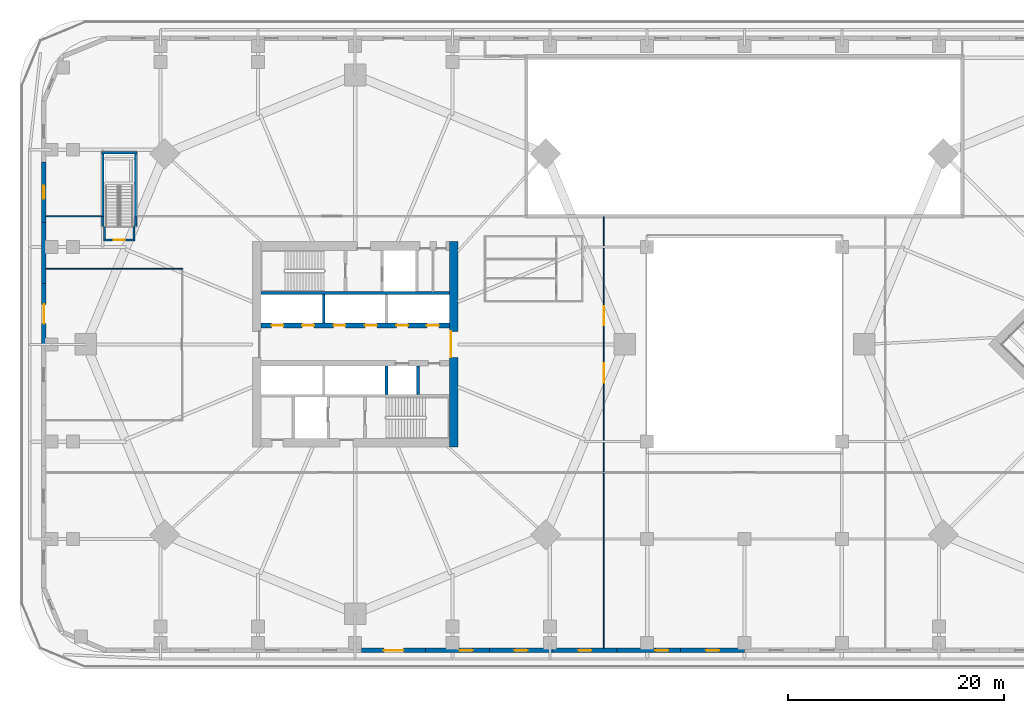
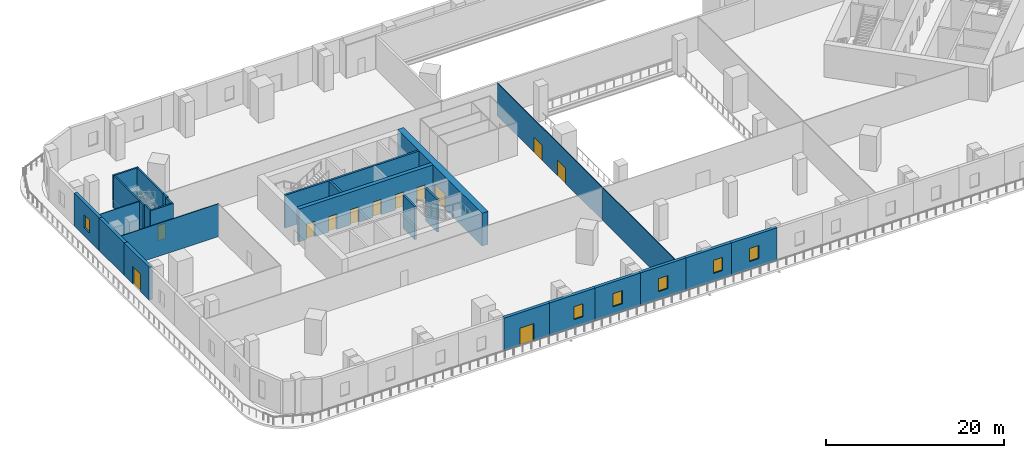
# One storey, part 5 of 17: 27 walls, 12 doors, 6 windows, 18 openings.
"""IFC4 building model written with IfcOpenShell, lengths in metres."""

import ifcopenshell
import ifcopenshell.guid

model = None  # the IFC model being written
_history = None  # IfcOwnerHistory: only IFC2X3 demands one
_inside = {}  # id of a spatial element -> (the spatial element, [elements in it])
_under = {}  # id of a project, library or spatial element -> (it, [spatial elements below it])
_declared = {}  # id of a project -> (the project, [libraries it declares])
_typed = {}  # id of a type object -> (the type object, [elements of that type])
_made_of = {}  # id of a material, layer set ... -> (it, [elements and type objects made of it])


def new_model(schema):
    """Start an empty IFC model of exactly this schema.

    Asked for "IFC4X3", IfcOpenShell would pick the latest addendum, in which some entities
    have other attributes; the version numbers below select the first issue.
    IFC2X3 requires an IfcOwnerHistory on every rooted entity: one is made here for all.
    """
    global model, _history
    if schema == "IFC4X3":
        model = ifcopenshell.file(schema_version=(4, 3, 0, 0))
    else:
        model = ifcopenshell.file(schema=schema)
    _inside.clear()
    _under.clear()
    _declared.clear()
    _typed.clear()
    _made_of.clear()
    _history = None
    if model.schema == "IFC2X3":
        org = make("IfcOrganization", Name="unknown")
        user = make(
            "IfcPersonAndOrganization",
            ThePerson=make("IfcPerson", FamilyName="unknown"),
            TheOrganization=org,
        )
        app = make(
            "IfcApplication",
            ApplicationDeveloper=org,
            Version="unknown",
            ApplicationFullName="unknown",
            ApplicationIdentifier="unknown",
        )
        _history = make(
            "IfcOwnerHistory",
            OwningUser=user,
            OwningApplication=app,
            ChangeAction="ADDED",
            CreationDate=0,
        )
    return model


def make(cls, **values):
    """One entity of the class cls with the attributes given. An attribute that is None is left unset."""
    return model.create_entity(
        cls, **{name: value for name, value in values.items() if value is not None}
    )


def rooted(cls, **values):
    """An entity with a GlobalId (a new one), such as an element, a storey or a relation."""
    return make(cls, GlobalId=ifcopenshell.guid.new(), OwnerHistory=_history, **values)


def si_unit(unit_type, name, prefix=None):
    """IfcSIUnit, for example si_unit("LENGTHUNIT", "METRE", prefix="MILLI")."""
    return make("IfcSIUnit", UnitType=unit_type, Prefix=prefix, Name=name)


def assignment(units):
    """IfcUnitAssignment: the units of a project."""
    return None if units is None else make("IfcUnitAssignment", Units=units)


def point(xyz):
    """IfcCartesianPoint."""
    return None if xyz is None else make("IfcCartesianPoint", Coordinates=xyz)


def direction(xyz):
    """IfcDirection."""
    return None if xyz is None else make("IfcDirection", DirectionRatios=xyz)


def frame(location, z_axis=None, x_axis=None):
    """IfcAxis2Placement3D, a coordinate frame: its origin and axes. An axis left out is left unset."""
    return make(
        "IfcAxis2Placement3D",
        Location=point(location),
        Axis=direction(z_axis),
        RefDirection=direction(x_axis),
    )


def frame_2d(location, x_axis=None):
    """IfcAxis2Placement2D, a coordinate frame in the plane: its origin and x axis."""
    return make(
        "IfcAxis2Placement2D", Location=point(location), RefDirection=direction(x_axis)
    )


def origin():
    """The frame at (0, 0, 0) with its axes left unset."""
    return frame((0.0, 0.0, 0.0))


def place(relative_to, where):
    """IfcLocalPlacement: puts the frame where relative to a parent placement (None: the world)."""
    return make(
        "IfcLocalPlacement", PlacementRelTo=relative_to, RelativePlacement=where
    )


def context(
    kind, dimensions, precision=None, world=None, true_north=None, identifier=None
):
    """IfcGeometricRepresentationContext, for example the 3D "Model" context."""
    return make(
        "IfcGeometricRepresentationContext",
        ContextIdentifier=identifier,
        ContextType=kind,
        CoordinateSpaceDimension=dimensions,
        Precision=precision,
        WorldCoordinateSystem=world,
        TrueNorth=true_north,
    )


def subcontext(parent, identifier, kind, view, scale=None):
    """IfcGeometricRepresentationSubContext, for example "Body" below "Model"."""
    return make(
        "IfcGeometricRepresentationSubContext",
        ContextIdentifier=identifier,
        ContextType=kind,
        ParentContext=parent,
        TargetScale=scale,
        TargetView=view,
    )


def project(units=None, contexts=None):
    """IfcProject with its units and contexts."""
    return rooted(
        "IfcProject",
        Name="project",
        RepresentationContexts=contexts,
        UnitsInContext=assignment(units),
    )


def spatial(cls, under=None, at=None, **own):
    """A site, building, storey or space (cls), placed at a placement, below another one or the project."""
    s = rooted(cls, ObjectPlacement=at, **own)
    if under is not None:
        _under.setdefault(under.id(), (under, []))[1].append(s)
    return s


def profile(cls, at=None, kind="AREA", **sizes):
    """A parametric profile (cls). Its sizes go by their IFC names, for example OverallWidth=200.0."""
    return make(cls, ProfileType=kind, Position=at, **sizes)


def rectangle(**sizes):
    """IfcRectangleProfileDef."""
    return profile("IfcRectangleProfileDef", **sizes)


def extrude(swept, where, along, depth):
    """IfcExtrudedAreaSolid: the profile swept, set in the frame where, extruded along a direction by depth."""
    return make(
        "IfcExtrudedAreaSolid",
        SweptArea=swept,
        Position=where,
        ExtrudedDirection=direction(along),
        Depth=depth,
    )


def shape(context_of_items, identifier, shape_type, items):
    """IfcShapeRepresentation: the items that make up one representation, for example the "Body"."""
    return make(
        "IfcShapeRepresentation",
        ContextOfItems=context_of_items,
        RepresentationIdentifier=identifier,
        RepresentationType=shape_type,
        Items=items,
    )


def material(Name=None, Category=None):
    """IfcMaterial."""
    return make("IfcMaterial", Name=Name, Category=Category)


def layer(
    of_material, thickness, ventilated=None, Name=None, Category=None, Priority=None
):
    """IfcMaterialLayer: one layer of a wall or slab, of a material (None: an air gap)."""
    return make(
        "IfcMaterialLayer",
        Material=of_material,
        LayerThickness=thickness,
        IsVentilated=ventilated,
        Name=Name,
        Category=Category,
        Priority=Priority,
    )


def layer_set(layers, Name=None):
    """IfcMaterialLayerSet."""
    return make("IfcMaterialLayerSet", MaterialLayers=layers, LayerSetName=Name)


def made_of(thing, what):
    """Note that an element or type object is made of a material, layer set ...; save() writes the relation."""
    if what is not None:
        _made_of.setdefault(what.id(), (what, []))[1].append(thing)
    return thing


def type_object(cls, material=None, **own):
    """A type object (cls), such as IfcWallType, which elements share."""
    return made_of(rooted(cls, **own), material)


def element(
    cls,
    number,
    at=None,
    inside=None,
    cuts=None,
    type_object=None,
    material=None,
    context=None,
    identifier="Body",
    shape_type=None,
    held_by="IfcProductDefinitionShape",
    body=None,
    shapes=None,
    **own,
):
    """One element of the class cls, such as IfcWall. Its Tag is "e" and its number.

    at: its placement. inside: the storey or other place that contains it. cuts: it is an
    opening in that element (IfcRelVoidsElement). A single representation is given by context,
    identifier, shape_type and body (its items); several are given by shapes. held_by: the class
    of the entity that holds the representations. save() writes the other relations.
    """
    e = rooted(cls, Tag="e%d" % number, ObjectPlacement=at, **own)
    if body is not None:
        shapes = [shape(context, identifier, shape_type, body)]
    if shapes is not None:
        e.Representation = make(held_by, Representations=shapes)
    if inside is not None:
        _inside.setdefault(inside.id(), (inside, []))[1].append(e)
    if cuts is not None:
        rooted(
            "IfcRelVoidsElement", RelatingBuildingElement=cuts, RelatedOpeningElement=e
        )
    if type_object is not None:
        _typed.setdefault(type_object.id(), (type_object, []))[1].append(e)
    return made_of(e, material)


def fill(opening, filler):
    """IfcRelFillsElement: the door or window that sits in an opening."""
    return rooted(
        "IfcRelFillsElement",
        RelatingOpeningElement=opening,
        RelatedBuildingElement=filler,
    )


def aggregate(whole, parts):
    """IfcRelAggregates: a whole, such as a stair, and the parts it consists of."""
    return rooted("IfcRelAggregates", RelatingObject=whole, RelatedObjects=parts)


def save(model, path):
    """Write the relations noted so far, then the file.

    IfcRelAggregates (storeys below a building ...), IfcRelContainedInSpatialStructure (elements
    in a storey), IfcRelDefinesByType, IfcRelAssociatesMaterial and IfcRelDeclares: one each for
    every whole, place, type object, material and project.
    """
    for whole, parts in _under.values():
        aggregate(whole, parts)
    for where, things in _inside.values():
        rooted(
            "IfcRelContainedInSpatialStructure",
            RelatedElements=things,
            RelatingStructure=where,
        )
    for kind, things in _typed.values():
        rooted("IfcRelDefinesByType", RelatedObjects=things, RelatingType=kind)
    for what, things in _made_of.values():
        rooted("IfcRelAssociatesMaterial", RelatedObjects=things, RelatingMaterial=what)
    for by, libraries in _declared.values():
        rooted("IfcRelDeclares", RelatingContext=by, RelatedDefinitions=libraries)
    model.write(path)


model = new_model("IFC4")

# Units and contexts
model_context = context("Model", 3, precision=1e-05, world=origin(), true_north=direction((0.0, 1.0)))
body_context = subcontext(model_context, "Body", "Model", "MODEL_VIEW")
ifc_project = project(units=[si_unit("LENGTHUNIT", "METRE"), si_unit("AREAUNIT", "SQUARE_METRE"), si_unit("VOLUMEUNIT", "CUBIC_METRE"), si_unit("PLANEANGLEUNIT", "RADIAN"), si_unit("MASSUNIT", "GRAM", prefix="KILO")], contexts=[model_context])

# Site, building, storey
site_placement = place(None, origin())
site = spatial("IfcSite", under=ifc_project, at=site_placement, CompositionType="ELEMENT")
building_placement = place(site_placement, origin())
building = spatial("IfcBuilding", under=site, at=building_placement, Name="Ogive Gate Towers", CompositionType="ELEMENT")
storey_placement = place(building_placement, frame((0.0, 0.0, 18.0)))
storey = spatial("IfcBuildingStorey", under=building, at=storey_placement, Name="L03", CompositionType="ELEMENT", Elevation=18.0)

# Wall, opening, door
ifc_material_1 = material(Name="Concrete C60/75", Category="concrete")
ifc_layer_1 = layer(ifc_material_1, 0.800048828125)
ifc_layer_set_1 = layer_set([ifc_layer_1], Name="Core wall 800 mm")
wall_type_1 = type_object("IfcWallType", Name="Core wall 800 mm", PredefinedType="SHEAR", material=ifc_layer_set_1)
wall_1_placement = place(storey_placement, frame((-26.89990234375, -9.5, 0.0), z_axis=(0.0, 0.0, 1.0), x_axis=(0.0, 1.0, 0.0)))
wall_1 = element("IfcWall", 1, at=wall_1_placement, inside=storey, type_object=wall_type_1, Name="T1 L03 Core wall 800 mm", PredefinedType="SHEAR", context=body_context, shape_type="SweptSolid", body=[
    extrude(rectangle(XDim=19.0, YDim=0.800048828125, at=frame_2d((9.5, 0.0))), origin(), (0.0, 0.0, 1.0), 4.5),
])
opening_1_placement = place(wall_1_placement, frame((8.300048828125, 0.0, 0.0)))
opening_1 = element("IfcOpeningElement", 2, at=opening_1_placement, cuts=wall_1, Name="Opening KD-T1-L03-02", PredefinedType="OPENING", context=body_context, shape_type="SweptSolid", body=[
    extrude(rectangle(XDim=2.39990234375, YDim=2.10009765625, at=frame_2d((1.199951171875, 1.050048828125))), frame((0.0, 0.41015625, 0.0), z_axis=(0.0, -1.0, 0.0), x_axis=(1.0, 0.0, 0.0)), (0.0, 0.0, 1.0), 0.820068359375),
])
ifc_material_2 = material(Name="Steel fire door", Category="steel")
door_type_1 = type_object("IfcDoorType", Name="Core double door FD60S 2400 x 2100", OperationType="DOUBLE_DOOR_SINGLE_SWING", PredefinedType="DOOR", material=ifc_material_2)
door_1_placement = place(opening_1_placement, origin())
door_1 = element("IfcDoor", 3, at=door_1_placement, inside=storey, type_object=door_type_1, Name="T1 L03 Core door double", OperationType="DOUBLE_DOOR_SINGLE_SWING", OverallHeight=2.10009765625, OverallWidth=2.39990234375, PredefinedType="DOOR", context=body_context, shape_type="SweptSolid", body=[
    extrude(rectangle(XDim=2.39990234375, YDim=2.10009765625, at=frame_2d((1.199951171875, 1.050048828125))), frame((0.0, 0.27490234375, 0.0), z_axis=(0.0, -1.0, 0.0), x_axis=(1.0, 0.0, 0.0)), (0.0, 0.0, 1.0), 0.050048828125),
])
fill(opening_1, door_1)

# Wall
ifc_material_3 = material(Name="Gypsum board partition")
ifc_layer_2 = layer(ifc_material_3, 0.10009765625)
ifc_layer_set_2 = layer_set([ifc_layer_2], Name="Partition wall 100")
wall_type_2 = type_object("IfcWallType", Name="Partition wall 100", PredefinedType="PARTITIONING", material=ifc_layer_set_2)
wall_2_placement = place(storey_placement, frame((-64.60009765625, 11.85009765625, 0.0), z_axis=(0.0, 0.0, 1.0), x_axis=(1.0, 0.0, 0.0)))
element("IfcWall", 4, at=wall_2_placement, inside=storey, type_object=wall_type_2, Name="L03 partition 020", PredefinedType="PARTITIONING", context=body_context, shape_type="SweptSolid", body=[
    extrude(rectangle(XDim=5.150146484375, YDim=0.10009765625, at=frame_2d((2.5751953125, 0.0))), origin(), (0.0, 0.0, 1.0), 4.5),
])

# Wall, openings, doors
wall_3_placement = place(storey_placement, frame((-13.0, -11.800048828125, 0.0), z_axis=(0.0, 0.0, 1.0), x_axis=(0.0, 1.0, 0.0)))
wall_3 = element("IfcWall", 5, at=wall_3_placement, inside=storey, type_object=wall_type_2, Name="L03 partition 024", PredefinedType="PARTITIONING", context=body_context, shape_type="SweptSolid", body=[
    extrude(rectangle(XDim=23.60009765625, YDim=0.10009765625, at=frame_2d((11.800048828125, 0.0))), origin(), (0.0, 0.0, 1.0), 4.5),
])
opening_2_placement = place(wall_3_placement, frame((13.550048828125, 0.0, 0.0)))
opening_2 = element("IfcOpeningElement", 6, at=opening_2_placement, cuts=wall_3, Name="Opening PO183", PredefinedType="OPENING", context=body_context, shape_type="SweptSolid", body=[
    extrude(rectangle(XDim=1.800048828125, YDim=2.10009765625, at=frame_2d((0.89990234375, 1.050048828125))), frame((0.0, 0.06005859375, 0.0), z_axis=(0.0, -1.0, 0.0), x_axis=(1.0, 0.0, 0.0)), (0.0, 0.0, 1.0), 0.1201171875),
])
opening_3_placement = place(wall_3_placement, frame((8.25, 0.0, 0.0)))
opening_3 = element("IfcOpeningElement", 7, at=opening_3_placement, cuts=wall_3, Name="Opening PO193", PredefinedType="OPENING", context=body_context, shape_type="SweptSolid", body=[
    extrude(rectangle(XDim=1.800048828125, YDim=2.10009765625, at=frame_2d((0.89990234375, 1.050048828125))), frame((0.0, 0.06005859375, 0.0), z_axis=(0.0, -1.0, 0.0), x_axis=(1.0, 0.0, 0.0)), (0.0, 0.0, 1.0), 0.1201171875),
])
ifc_material_4 = material(Name="Timber door", Category="wood")
door_type_2 = type_object("IfcDoorType", Name="Double door 1800 x 2100", OperationType="NOTDEFINED", PredefinedType="DOOR", material=ifc_material_4)
door_2_placement = place(opening_2_placement, origin())
door_2 = element("IfcDoor", 8, at=door_2_placement, inside=storey, type_object=door_type_2, Name="Door PO183", OperationType="DOUBLE_DOOR_DOUBLE_SWING", OverallHeight=2.10009765625, OverallWidth=1.800048828125, PredefinedType="DOOR", context=body_context, shape_type="SweptSolid", body=[
    extrude(rectangle(XDim=1.800048828125, YDim=2.10009765625, at=frame_2d((0.89990234375, 1.050048828125))), frame((0.0, 0.02490234375, 0.0), z_axis=(0.0, -1.0, 0.0), x_axis=(1.0, 0.0, 0.0)), (0.0, 0.0, 1.0), 0.050048828125),
])
fill(opening_2, door_2)
door_3_placement = place(opening_3_placement, origin())
door_3 = element("IfcDoor", 9, at=door_3_placement, inside=storey, type_object=door_type_2, Name="Door PO193", OperationType="DOUBLE_DOOR_DOUBLE_SWING", OverallHeight=2.10009765625, OverallWidth=1.800048828125, PredefinedType="DOOR", context=body_context, shape_type="SweptSolid", body=[
    extrude(rectangle(XDim=1.800048828125, YDim=2.10009765625, at=frame_2d((0.89990234375, 1.050048828125))), frame((0.0, 0.02490234375, 0.0), z_axis=(0.0, -1.0, 0.0), x_axis=(1.0, 0.0, 0.0)), (0.0, 0.0, 1.0), 0.050048828125),
])
fill(opening_3, door_3)

# Walls
wall_4_placement = place(storey_placement, frame((-13.0, -28.10009765625, 0.0), z_axis=(0.0, 0.0, 1.0), x_axis=(0.0, 1.0, 0.0)))
element("IfcWall", 10, at=wall_4_placement, inside=storey, type_object=wall_type_2, Name="L03 partition 028", PredefinedType="PARTITIONING", context=body_context, shape_type="SweptSolid", body=[
    extrude(rectangle(XDim=16.2001953125, YDim=0.10009765625, at=frame_2d((8.10009765625, 0.0))), origin(), (0.0, 0.0, 1.0), 4.5),
])
wall_5_placement = place(storey_placement, frame((-64.60009765625, 7.0, 0.0), z_axis=(0.0, 0.0, 1.0), x_axis=(1.0, 0.0, 0.0)))
element("IfcWall", 11, at=wall_5_placement, inside=storey, type_object=wall_type_2, Name="L03 partition 034", PredefinedType="PARTITIONING", context=body_context, shape_type="SweptSolid", body=[
    extrude(rectangle(XDim=12.650146484375, YDim=0.10009765625, at=frame_2d((6.3251953125, 0.0))), origin(), (0.0, 0.0, 1.0), 4.5),
])

# Wall, opening, window
ifc_material_5 = material(Name="Precast concrete C40/50", Category="concrete")
ifc_layer_3 = layer(ifc_material_5, 0.39990234375)
ifc_layer_set_3 = layer_set([ifc_layer_3], Name="Podium wall 400")
wall_type_3 = type_object("IfcWallType", Name="Podium wall 400", PredefinedType="SOLIDWALL", material=ifc_layer_set_3)
wall_6_placement = place(storey_placement, frame((-64.800048828125, 16.875, 0.0), z_axis=(0.0, 0.0, 1.0), x_axis=(0.0, -1.0, 0.0)))
wall_6 = element("IfcWall", 12, at=wall_6_placement, inside=storey, type_object=wall_type_3, Name="Podium wall", PredefinedType="SOLIDWALL", context=body_context, shape_type="SweptSolid", body=[
    extrude(rectangle(XDim=5.625, YDim=0.39990234375, at=frame_2d((2.8125, 0.0))), origin(), (0.0, 0.0, 1.0), 4.5),
])
opening_4_placement = place(wall_6_placement, frame((2.21240234375, 0.0, 1.10009765625)))
opening_4 = element("IfcOpeningElement", 13, at=opening_4_placement, cuts=wall_6, Name="Opening WN3", PredefinedType="OPENING", context=body_context, shape_type="SweptSolid", body=[
    extrude(rectangle(XDim=1.199951171875, YDim=1.800048828125, at=frame_2d((0.60009765625, 0.89990234375))), frame((0.0, 0.2099609375, 0.0), z_axis=(0.0, -1.0, 0.0), x_axis=(1.0, 0.0, 0.0)), (0.0, 0.0, 1.0), 0.419921875),
])
ifc_material_6 = material(Name="Clear glass", Category="glass")
window_type = type_object("IfcWindowType", Name="Podium window 1200 x 1800", PartitioningType="SINGLE_PANEL", PredefinedType="WINDOW", material=ifc_material_6)
window_1_placement = place(opening_4_placement, origin())
window_1 = element("IfcWindow", 14, at=window_1_placement, inside=storey, type_object=window_type, Name="Podium window", OverallHeight=1.800048828125, OverallWidth=1.199951171875, PartitioningType="SINGLE_PANEL", PredefinedType="WINDOW", context=body_context, shape_type="SweptSolid", body=[
    extrude(rectangle(XDim=1.199951171875, YDim=1.800048828125, at=frame_2d((0.60009765625, 0.89990234375))), frame((0.0, 0.030029296875, 0.0), z_axis=(0.0, -1.0, 0.0), x_axis=(1.0, 0.0, 0.0)), (0.0, 0.0, 1.0), 0.06005859375),
])
fill(opening_4, window_1)

# Wall
wall_7_placement = place(storey_placement, frame((-64.800048828125, 11.25, 0.0), z_axis=(0.0, 0.0, 1.0), x_axis=(0.0, -1.0, 0.0)))
element("IfcWall", 15, at=wall_7_placement, inside=storey, type_object=wall_type_3, Name="Podium wall", PredefinedType="SOLIDWALL", context=body_context, shape_type="SweptSolid", body=[
    extrude(rectangle(XDim=5.625, YDim=0.39990234375, at=frame_2d((2.8125, 0.0))), origin(), (0.0, 0.0, 1.0), 4.5),
])

# Wall, opening, door
wall_8_placement = place(storey_placement, frame((-64.800048828125, 5.625, 0.0), z_axis=(0.0, 0.0, 1.0), x_axis=(0.0, -1.0, 0.0)))
wall_8 = element("IfcWall", 16, at=wall_8_placement, inside=storey, type_object=wall_type_3, Name="Podium wall", PredefinedType="SOLIDWALL", context=body_context, shape_type="SweptSolid", body=[
    extrude(rectangle(XDim=5.625, YDim=0.39990234375, at=frame_2d((2.8125, 0.0))), origin(), (0.0, 0.0, 1.0), 4.5),
])
opening_5_placement = place(wall_8_placement, frame((1.91259765625, 0.0, 0.0)))
opening_5 = element("IfcOpeningElement", 17, at=opening_5_placement, cuts=wall_8, Name="Opening ED3-L03-04", PredefinedType="OPENING", context=body_context, shape_type="SweptSolid", body=[
    extrude(rectangle(XDim=1.800048828125, YDim=2.39990234375, at=frame_2d((0.89990234375, 1.199951171875))), frame((0.0, 0.2099609375, 0.0), z_axis=(0.0, -1.0, 0.0), x_axis=(1.0, 0.0, 0.0)), (0.0, 0.0, 1.0), 0.419921875),
])
ifc_material_7 = material(Name="Pale metal aluminium", Category="aluminium")
door_type_3 = type_object("IfcDoorType", Name="Terrace door 1800 x 2400", OperationType="DOUBLE_DOOR_SINGLE_SWING", PredefinedType="DOOR", material=ifc_material_7)
door_4_placement = place(opening_5_placement, origin())
door_4 = element("IfcDoor", 18, at=door_4_placement, inside=storey, type_object=door_type_3, Name="Exterior door", OperationType="SINGLE_SWING_LEFT", OverallHeight=2.39990234375, OverallWidth=1.800048828125, PredefinedType="DOOR", context=body_context, shape_type="SweptSolid", body=[
    extrude(rectangle(XDim=1.800048828125, YDim=2.39990234375, at=frame_2d((0.89990234375, 1.199951171875))), frame((0.0, 0.02490234375, 0.0), z_axis=(0.0, -1.0, 0.0), x_axis=(1.0, 0.0, 0.0)), (0.0, 0.0, 1.0), 0.050048828125),
])
fill(opening_5, door_4)

wall_9_placement = place(storey_placement, frame((-35.39990234375, -28.300048828125, 0.0), z_axis=(0.0, 0.0, 1.0), x_axis=(1.0, 0.0, 0.0)))
wall_9 = element("IfcWall", 19, at=wall_9_placement, inside=storey, type_object=wall_type_3, Name="Podium wall", PredefinedType="SOLIDWALL", context=body_context, shape_type="SweptSolid", body=[
    extrude(rectangle(XDim=5.89990234375, YDim=0.39990234375, at=frame_2d((2.949951171875, 0.0))), origin(), (0.0, 0.0, 1.0), 4.5),
])
opening_6_placement = place(wall_9_placement, frame((2.050048828125, 0.0, 0.0)))
opening_6 = element("IfcOpeningElement", 20, at=opening_6_placement, cuts=wall_9, Name="Opening ED3-L03-05", PredefinedType="OPENING", context=body_context, shape_type="SweptSolid", body=[
    extrude(rectangle(XDim=1.800048828125, YDim=2.39990234375, at=frame_2d((0.89990234375, 1.199951171875))), frame((0.0, 0.2099609375, 0.0), z_axis=(0.0, -1.0, 0.0), x_axis=(1.0, 0.0, 0.0)), (0.0, 0.0, 1.0), 0.419921875),
])
door_5_placement = place(opening_6_placement, origin())
door_5 = element("IfcDoor", 21, at=door_5_placement, inside=storey, type_object=door_type_3, Name="Exterior door", OperationType="SINGLE_SWING_LEFT", OverallHeight=2.39990234375, OverallWidth=1.800048828125, PredefinedType="DOOR", context=body_context, shape_type="SweptSolid", body=[
    extrude(rectangle(XDim=1.800048828125, YDim=2.39990234375, at=frame_2d((0.89990234375, 1.199951171875))), frame((0.0, 0.02490234375, 0.0), z_axis=(0.0, -1.0, 0.0), x_axis=(1.0, 0.0, 0.0)), (0.0, 0.0, 1.0), 0.050048828125),
])
fill(opening_6, door_5)

# Wall, opening, window
wall_10_placement = place(storey_placement, frame((-29.5, -28.300048828125, 0.0), z_axis=(0.0, 0.0, 1.0), x_axis=(1.0, 0.0, 0.0)))
wall_10 = element("IfcWall", 22, at=wall_10_placement, inside=storey, type_object=wall_type_3, Name="Podium wall", PredefinedType="SOLIDWALL", context=body_context, shape_type="SweptSolid", body=[
    extrude(rectangle(XDim=5.89990234375, YDim=0.39990234375, at=frame_2d((2.949951171875, 0.0))), origin(), (0.0, 0.0, 1.0), 4.5),
])
opening_7_placement = place(wall_10_placement, frame((3.14990234375, 0.0, 1.10009765625)))
opening_7 = element("IfcOpeningElement", 23, at=opening_7_placement, cuts=wall_10, Name="Opening WN3", PredefinedType="OPENING", context=body_context, shape_type="SweptSolid", body=[
    extrude(rectangle(XDim=1.199951171875, YDim=1.800048828125, at=frame_2d((0.60009765625, 0.89990234375))), frame((0.0, 0.2099609375, 0.0), z_axis=(0.0, -1.0, 0.0), x_axis=(1.0, 0.0, 0.0)), (0.0, 0.0, 1.0), 0.419921875),
])
window_2_placement = place(opening_7_placement, origin())
window_2 = element("IfcWindow", 24, at=window_2_placement, inside=storey, type_object=window_type, Name="Podium window", OverallHeight=1.800048828125, OverallWidth=1.199951171875, PartitioningType="SINGLE_PANEL", PredefinedType="WINDOW", context=body_context, shape_type="SweptSolid", body=[
    extrude(rectangle(XDim=1.199951171875, YDim=1.800048828125, at=frame_2d((0.60009765625, 0.89990234375))), frame((0.0, 0.030029296875, 0.0), z_axis=(0.0, -1.0, 0.0), x_axis=(1.0, 0.0, 0.0)), (0.0, 0.0, 1.0), 0.06005859375),
])
fill(opening_7, window_2)

wall_11_placement = place(storey_placement, frame((-23.60009765625, -28.300048828125, 0.0), z_axis=(0.0, 0.0, 1.0), x_axis=(1.0, 0.0, 0.0)))
wall_11 = element("IfcWall", 25, at=wall_11_placement, inside=storey, type_object=wall_type_3, Name="Podium wall", PredefinedType="SOLIDWALL", context=body_context, shape_type="SweptSolid", body=[
    extrude(rectangle(XDim=5.900146484375, YDim=0.39990234375, at=frame_2d((2.9501953125, 0.0))), origin(), (0.0, 0.0, 1.0), 4.5),
])
opening_8_placement = place(wall_11_placement, frame((2.35009765625, 0.0, 1.10009765625)))
opening_8 = element("IfcOpeningElement", 26, at=opening_8_placement, cuts=wall_11, Name="Opening WN3", PredefinedType="OPENING", context=body_context, shape_type="SweptSolid", body=[
    extrude(rectangle(XDim=1.199951171875, YDim=1.800048828125, at=frame_2d((0.60009765625, 0.89990234375))), frame((0.0, 0.2099609375, 0.0), z_axis=(0.0, -1.0, 0.0), x_axis=(1.0, 0.0, 0.0)), (0.0, 0.0, 1.0), 0.419921875),
])
window_3_placement = place(opening_8_placement, origin())
window_3 = element("IfcWindow", 27, at=window_3_placement, inside=storey, type_object=window_type, Name="Podium window", OverallHeight=1.800048828125, OverallWidth=1.199951171875, PartitioningType="SINGLE_PANEL", PredefinedType="WINDOW", context=body_context, shape_type="SweptSolid", body=[
    extrude(rectangle(XDim=1.199951171875, YDim=1.800048828125, at=frame_2d((0.60009765625, 0.89990234375))), frame((0.0, 0.030029296875, 0.0), z_axis=(0.0, -1.0, 0.0), x_axis=(1.0, 0.0, 0.0)), (0.0, 0.0, 1.0), 0.06005859375),
])
fill(opening_8, window_3)

wall_12_placement = place(storey_placement, frame((-17.699951171875, -28.300048828125, 0.0), z_axis=(0.0, 0.0, 1.0), x_axis=(1.0, 0.0, 0.0)))
wall_12 = element("IfcWall", 28, at=wall_12_placement, inside=storey, type_object=wall_type_3, Name="Podium wall", PredefinedType="SOLIDWALL", context=body_context, shape_type="SweptSolid", body=[
    extrude(rectangle(XDim=5.89990234375, YDim=0.39990234375, at=frame_2d((2.949951171875, 0.0))), origin(), (0.0, 0.0, 1.0), 4.5),
])
opening_9_placement = place(wall_12_placement, frame((2.35009765625, 0.0, 1.10009765625)))
opening_9 = element("IfcOpeningElement", 29, at=opening_9_placement, cuts=wall_12, Name="Opening WN3", PredefinedType="OPENING", context=body_context, shape_type="SweptSolid", body=[
    extrude(rectangle(XDim=1.199951171875, YDim=1.800048828125, at=frame_2d((0.60009765625, 0.89990234375))), frame((0.0, 0.2099609375, 0.0), z_axis=(0.0, -1.0, 0.0), x_axis=(1.0, 0.0, 0.0)), (0.0, 0.0, 1.0), 0.419921875),
])
window_4_placement = place(opening_9_placement, origin())
window_4 = element("IfcWindow", 30, at=window_4_placement, inside=storey, type_object=window_type, Name="Podium window", OverallHeight=1.800048828125, OverallWidth=1.199951171875, PartitioningType="SINGLE_PANEL", PredefinedType="WINDOW", context=body_context, shape_type="SweptSolid", body=[
    extrude(rectangle(XDim=1.199951171875, YDim=1.800048828125, at=frame_2d((0.60009765625, 0.89990234375))), frame((0.0, 0.030029296875, 0.0), z_axis=(0.0, -1.0, 0.0), x_axis=(1.0, 0.0, 0.0)), (0.0, 0.0, 1.0), 0.06005859375),
])
fill(opening_9, window_4)

wall_13_placement = place(storey_placement, frame((-11.800048828125, -28.300048828125, 0.0), z_axis=(0.0, 0.0, 1.0), x_axis=(1.0, 0.0, 0.0)))
wall_13 = element("IfcWall", 31, at=wall_13_placement, inside=storey, type_object=wall_type_3, Name="Podium wall", PredefinedType="SOLIDWALL", context=body_context, shape_type="SweptSolid", body=[
    extrude(rectangle(XDim=5.900146484375, YDim=0.39990234375, at=frame_2d((2.9501953125, 0.0))), origin(), (0.0, 0.0, 1.0), 4.5),
])
opening_10_placement = place(wall_13_placement, frame((3.550048828125, 0.0, 1.10009765625)))
opening_10 = element("IfcOpeningElement", 32, at=opening_10_placement, cuts=wall_13, Name="Opening WN3", PredefinedType="OPENING", context=body_context, shape_type="SweptSolid", body=[
    extrude(rectangle(XDim=1.199951171875, YDim=1.800048828125, at=frame_2d((0.60009765625, 0.89990234375))), frame((0.0, 0.2099609375, 0.0), z_axis=(0.0, -1.0, 0.0), x_axis=(1.0, 0.0, 0.0)), (0.0, 0.0, 1.0), 0.419921875),
])
window_5_placement = place(opening_10_placement, origin())
window_5 = element("IfcWindow", 33, at=window_5_placement, inside=storey, type_object=window_type, Name="Podium window", OverallHeight=1.800048828125, OverallWidth=1.199951171875, PartitioningType="SINGLE_PANEL", PredefinedType="WINDOW", context=body_context, shape_type="SweptSolid", body=[
    extrude(rectangle(XDim=1.199951171875, YDim=1.800048828125, at=frame_2d((0.60009765625, 0.89990234375))), frame((0.0, 0.030029296875, 0.0), z_axis=(0.0, -1.0, 0.0), x_axis=(1.0, 0.0, 0.0)), (0.0, 0.0, 1.0), 0.06005859375),
])
fill(opening_10, window_5)

wall_14_placement = place(storey_placement, frame((-5.89990234375, -28.300048828125, 0.0), z_axis=(0.0, 0.0, 1.0), x_axis=(1.0, 0.0, 0.0)))
wall_14 = element("IfcWall", 34, at=wall_14_placement, inside=storey, type_object=wall_type_3, Name="Podium wall", PredefinedType="SOLIDWALL", context=body_context, shape_type="SweptSolid", body=[
    extrude(rectangle(XDim=5.89990234375, YDim=0.39990234375, at=frame_2d((2.949951171875, 0.0))), origin(), (0.0, 0.0, 1.0), 4.5),
])
opening_11_placement = place(wall_14_placement, frame((2.35009765625, 0.0, 1.10009765625)))
opening_11 = element("IfcOpeningElement", 35, at=opening_11_placement, cuts=wall_14, Name="Opening WN3", PredefinedType="OPENING", context=body_context, shape_type="SweptSolid", body=[
    extrude(rectangle(XDim=1.199951171875, YDim=1.800048828125, at=frame_2d((0.60009765625, 0.89990234375))), frame((0.0, 0.2099609375, 0.0), z_axis=(0.0, -1.0, 0.0), x_axis=(1.0, 0.0, 0.0)), (0.0, 0.0, 1.0), 0.419921875),
])
window_6_placement = place(opening_11_placement, origin())
window_6 = element("IfcWindow", 36, at=window_6_placement, inside=storey, type_object=window_type, Name="Podium window", OverallHeight=1.800048828125, OverallWidth=1.199951171875, PartitioningType="SINGLE_PANEL", PredefinedType="WINDOW", context=body_context, shape_type="SweptSolid", body=[
    extrude(rectangle(XDim=1.199951171875, YDim=1.800048828125, at=frame_2d((0.60009765625, 0.89990234375))), frame((0.0, 0.030029296875, 0.0), z_axis=(0.0, -1.0, 0.0), x_axis=(1.0, 0.0, 0.0)), (0.0, 0.0, 1.0), 0.06005859375),
])
fill(opening_11, window_6)

# Walls
ifc_layer_4 = layer(ifc_material_1, 0.25)
ifc_layer_set_4 = layer_set([ifc_layer_4], Name="Shaft wall 250 mm")
wall_type_4 = type_object("IfcWallType", Name="Shaft wall 250 mm", PredefinedType="SHEAR", material=ifc_layer_set_4)
wall_15_placement = place(storey_placement, frame((-44.699951171875, 4.75, 0.0), z_axis=(0.0, 0.0, 1.0), x_axis=(1.0, 0.0, 0.0)))
element("IfcWall", 37, at=wall_15_placement, inside=storey, type_object=wall_type_4, Name="T1 L03 Shaft wall 250 mm", PredefinedType="SHEAR", context=body_context, shape_type="SweptSolid", body=[
    extrude(rectangle(XDim=17.39990234375, YDim=0.25, at=frame_2d((8.699951171875, 0.0))), origin(), (0.0, 0.0, 1.0), 4.5),
])
for number, where, z_axis, x_axis, name in (
    (38, (-38.89990234375, 2.0, 0.0), (0.0, 0.0, 1.0), (0.0, 1.0, 0.0), "T1 L03 Shaft wall 250 mm"),
    (39, (-33.10009765625, -4.625, 0.0), (0.0, 0.0, 1.0), (0.0, 1.0, 0.0), "T1 L03 Shaft wall 250 mm"),
    (40, (-30.199951171875, -4.625, 0.0), (0.0, 0.0, 1.0), (0.0, 1.0, 0.0), "T1 L03 Shaft wall 250 mm"),
):
    element("IfcWall", number, at=place(storey_placement, frame(where, z_axis=z_axis, x_axis=x_axis)), inside=storey, type_object=wall_type_4, Name=name, PredefinedType="SHEAR", context=body_context, shape_type="SweptSolid", body=[
        extrude(rectangle(XDim=2.625, YDim=0.25, at=frame_2d((1.3125, 0.0))), origin(), (0.0, 0.0, 1.0), 4.5),
    ])

# Wall, openings, doors
ifc_layer_5 = layer(ifc_material_1, 0.5)
ifc_layer_set_5 = layer_set([ifc_layer_5], Name="Spine wall 500 mm")
wall_type_5 = type_object("IfcWallType", Name="Spine wall 500 mm", PredefinedType="SHEAR", material=ifc_layer_set_5)
wall_16_placement = place(storey_placement, frame((-44.699951171875, 1.75, 0.0), z_axis=(0.0, 0.0, 1.0), x_axis=(1.0, 0.0, 0.0)))
wall_16 = element("IfcWall", 41, at=wall_16_placement, inside=storey, type_object=wall_type_5, Name="T1 L03 Spine wall 500 mm", PredefinedType="SHEAR", context=body_context, shape_type="SweptSolid", body=[
    extrude(rectangle(XDim=17.39990234375, YDim=0.5, at=frame_2d((8.699951171875, 0.0))), origin(), (0.0, 0.0, 1.0), 4.5),
])
opening_12_placement = place(wall_16_placement, frame((0.96240234375, 0.0, 0.0)))
opening_12 = element("IfcOpeningElement", 42, at=opening_12_placement, cuts=wall_16, Name="Opening LD-T1-L03-03", PredefinedType="OPENING", context=body_context, shape_type="SweptSolid", body=[
    extrude(rectangle(XDim=1.10009765625, YDim=2.10009765625, at=frame_2d((0.550048828125, 1.050048828125))), frame((0.0, 0.260009765625, 0.0), z_axis=(0.0, -1.0, 0.0), x_axis=(1.0, 0.0, 0.0)), (0.0, 0.0, 1.0), 0.52001953125),
])
opening_13_placement = place(wall_16_placement, frame((3.800048828125, 0.0, 0.0)))
opening_13 = element("IfcOpeningElement", 43, at=opening_13_placement, cuts=wall_16, Name="Opening LD-T1-L03-04", PredefinedType="OPENING", context=body_context, shape_type="SweptSolid", body=[
    extrude(rectangle(XDim=1.10009765625, YDim=2.10009765625, at=frame_2d((0.550048828125, 1.050048828125))), frame((0.0, 0.260009765625, 0.0), z_axis=(0.0, -1.0, 0.0), x_axis=(1.0, 0.0, 0.0)), (0.0, 0.0, 1.0), 0.52001953125),
])
opening_14_placement = place(wall_16_placement, frame((6.699951171875, 0.0, 0.0)))
opening_14 = element("IfcOpeningElement", 44, at=opening_14_placement, cuts=wall_16, Name="Opening LD-T1-L03-05", PredefinedType="OPENING", context=body_context, shape_type="SweptSolid", body=[
    extrude(rectangle(XDim=1.10009765625, YDim=2.10009765625, at=frame_2d((0.550048828125, 1.050048828125))), frame((0.0, 0.260009765625, 0.0), z_axis=(0.0, -1.0, 0.0), x_axis=(1.0, 0.0, 0.0)), (0.0, 0.0, 1.0), 0.52001953125),
])
opening_15_placement = place(wall_16_placement, frame((9.60009765625, 0.0, 0.0)))
opening_15 = element("IfcOpeningElement", 45, at=opening_15_placement, cuts=wall_16, Name="Opening LD-T1-L03-06", PredefinedType="OPENING", context=body_context, shape_type="SweptSolid", body=[
    extrude(rectangle(XDim=1.10009765625, YDim=2.10009765625, at=frame_2d((0.550048828125, 1.050048828125))), frame((0.0, 0.260009765625, 0.0), z_axis=(0.0, -1.0, 0.0), x_axis=(1.0, 0.0, 0.0)), (0.0, 0.0, 1.0), 0.52001953125),
])
opening_16_placement = place(wall_16_placement, frame((12.5, 0.0, 0.0)))
opening_16 = element("IfcOpeningElement", 46, at=opening_16_placement, cuts=wall_16, Name="Opening LD-T1-L03-07", PredefinedType="OPENING", context=body_context, shape_type="SweptSolid", body=[
    extrude(rectangle(XDim=1.10009765625, YDim=2.10009765625, at=frame_2d((0.550048828125, 1.050048828125))), frame((0.0, 0.260009765625, 0.0), z_axis=(0.0, -1.0, 0.0), x_axis=(1.0, 0.0, 0.0)), (0.0, 0.0, 1.0), 0.52001953125),
])
opening_17_placement = place(wall_16_placement, frame((15.33740234375, 0.0, 0.0)))
opening_17 = element("IfcOpeningElement", 47, at=opening_17_placement, cuts=wall_16, Name="Opening LD-T1-L03-08", PredefinedType="OPENING", context=body_context, shape_type="SweptSolid", body=[
    extrude(rectangle(XDim=1.10009765625, YDim=2.10009765625, at=frame_2d((0.550048828125, 1.050048828125))), frame((0.0, 0.260009765625, 0.0), z_axis=(0.0, -1.0, 0.0), x_axis=(1.0, 0.0, 0.0)), (0.0, 0.0, 1.0), 0.52001953125),
])
ifc_material_8 = material(Name="Stainless steel landing door", Category="steel")
door_type_4 = type_object("IfcDoorType", Name="Landing door 1100 x 2100", OperationType="SLIDING_TO_LEFT", PredefinedType="DOOR", material=ifc_material_8)
door_6_placement = place(opening_12_placement, origin())
door_6 = element("IfcDoor", 48, at=door_6_placement, inside=storey, type_object=door_type_4, Name="T1 L03 Lift landing door A1", OperationType="SLIDING_TO_LEFT", OverallHeight=2.10009765625, OverallWidth=1.10009765625, PredefinedType="DOOR", context=body_context, shape_type="SweptSolid", body=[
    extrude(rectangle(XDim=1.10009765625, YDim=2.10009765625, at=frame_2d((0.550048828125, 1.050048828125))), frame((0.0, 0.02490234375, 0.0), z_axis=(0.0, -1.0, 0.0), x_axis=(1.0, 0.0, 0.0)), (0.0, 0.0, 1.0), 0.050048828125),
])
fill(opening_12, door_6)
door_7_placement = place(opening_13_placement, origin())
door_7 = element("IfcDoor", 49, at=door_7_placement, inside=storey, type_object=door_type_4, Name="T1 L03 Lift landing door A2", OperationType="SLIDING_TO_LEFT", OverallHeight=2.10009765625, OverallWidth=1.10009765625, PredefinedType="DOOR", context=body_context, shape_type="SweptSolid", body=[
    extrude(rectangle(XDim=1.10009765625, YDim=2.10009765625, at=frame_2d((0.550048828125, 1.050048828125))), frame((0.0, 0.02490234375, 0.0), z_axis=(0.0, -1.0, 0.0), x_axis=(1.0, 0.0, 0.0)), (0.0, 0.0, 1.0), 0.050048828125),
])
fill(opening_13, door_7)
door_8_placement = place(opening_14_placement, origin())
door_8 = element("IfcDoor", 50, at=door_8_placement, inside=storey, type_object=door_type_4, Name="T1 L03 Lift landing door A3", OperationType="SLIDING_TO_LEFT", OverallHeight=2.10009765625, OverallWidth=1.10009765625, PredefinedType="DOOR", context=body_context, shape_type="SweptSolid", body=[
    extrude(rectangle(XDim=1.10009765625, YDim=2.10009765625, at=frame_2d((0.550048828125, 1.050048828125))), frame((0.0, 0.02490234375, 0.0), z_axis=(0.0, -1.0, 0.0), x_axis=(1.0, 0.0, 0.0)), (0.0, 0.0, 1.0), 0.050048828125),
])
fill(opening_14, door_8)
door_9_placement = place(opening_15_placement, origin())
door_9 = element("IfcDoor", 51, at=door_9_placement, inside=storey, type_object=door_type_4, Name="T1 L03 Lift landing door A4", OperationType="SLIDING_TO_LEFT", OverallHeight=2.10009765625, OverallWidth=1.10009765625, PredefinedType="DOOR", context=body_context, shape_type="SweptSolid", body=[
    extrude(rectangle(XDim=1.10009765625, YDim=2.10009765625, at=frame_2d((0.550048828125, 1.050048828125))), frame((0.0, 0.02490234375, 0.0), z_axis=(0.0, -1.0, 0.0), x_axis=(1.0, 0.0, 0.0)), (0.0, 0.0, 1.0), 0.050048828125),
])
fill(opening_15, door_9)
door_10_placement = place(opening_16_placement, origin())
door_10 = element("IfcDoor", 52, at=door_10_placement, inside=storey, type_object=door_type_4, Name="T1 L03 Lift landing door A5", OperationType="SLIDING_TO_LEFT", OverallHeight=2.10009765625, OverallWidth=1.10009765625, PredefinedType="DOOR", context=body_context, shape_type="SweptSolid", body=[
    extrude(rectangle(XDim=1.10009765625, YDim=2.10009765625, at=frame_2d((0.550048828125, 1.050048828125))), frame((0.0, 0.02490234375, 0.0), z_axis=(0.0, -1.0, 0.0), x_axis=(1.0, 0.0, 0.0)), (0.0, 0.0, 1.0), 0.050048828125),
])
fill(opening_16, door_10)
door_11_placement = place(opening_17_placement, origin())
door_11 = element("IfcDoor", 53, at=door_11_placement, inside=storey, type_object=door_type_4, Name="T1 L03 Lift landing door A6", OperationType="SLIDING_TO_LEFT", OverallHeight=2.10009765625, OverallWidth=1.10009765625, PredefinedType="DOOR", context=body_context, shape_type="SweptSolid", body=[
    extrude(rectangle(XDim=1.10009765625, YDim=2.10009765625, at=frame_2d((0.550048828125, 1.050048828125))), frame((0.0, 0.02490234375, 0.0), z_axis=(0.0, -1.0, 0.0), x_axis=(1.0, 0.0, 0.0)), (0.0, 0.0, 1.0), 0.050048828125),
])
fill(opening_17, door_11)

# Walls
ifc_material_9 = material(Name="Reinforced concrete C32/40", Category="concrete")
ifc_layer_6 = layer(ifc_material_9, 0.199951171875)
ifc_layer_set_6 = layer_set([ifc_layer_6], Name="Stair shaft wall 200")
wall_type_6 = type_object("IfcWallType", Name="Stair shaft wall 200", PredefinedType="SOLIDWALL", material=ifc_layer_set_6)
wall_17_placement = place(storey_placement, frame((-59.449951171875, 17.719970703125, 0.0), z_axis=(0.0, 0.0, 1.0), x_axis=(1.0, 0.0, 0.0)))
element("IfcWall", 54, at=wall_17_placement, inside=storey, type_object=wall_type_6, Name="L03 stair shaft wall 001", PredefinedType="SOLIDWALL", context=body_context, shape_type="SweptSolid", body=[
    extrude(rectangle(XDim=3.25, YDim=0.199951171875, at=frame_2d((1.625, 0.0))), origin(), (0.0, 0.0, 1.0), 4.5),
])
for number, where, z_axis, x_axis, name in (
    (55, (-59.35009765625, 11.85009765625, 0.0), (0.0, 0.0, 1.0), (0.0, 1.0, 0.0), "L03 stair shaft wall 002"),
    (56, (-56.300048828125, 11.85009765625, 0.0), (0.0, 0.0, 1.0), (0.0, 1.0, 0.0), "L03 stair shaft wall 003"),
):
    element("IfcWall", number, at=place(storey_placement, frame(where, z_axis=z_axis, x_axis=x_axis)), inside=storey, type_object=wall_type_6, Name=name, PredefinedType="SOLIDWALL", context=body_context, shape_type="SweptSolid", body=[
        extrude(rectangle(XDim=5.77001953125, YDim=0.199951171875, at=frame_2d((2.885009765625, 0.0))), origin(), (0.0, 0.0, 1.0), 4.5),
    ])

# Wall, opening, door
wall_18_placement = place(storey_placement, frame((-59.300048828125, 9.64990234375, 0.0), z_axis=(0.0, 0.0, 1.0), x_axis=(1.0, 0.0, 0.0)))
wall_18 = element("IfcWall", 57, at=wall_18_placement, inside=storey, type_object=wall_type_6, Name="L03 stair shaft wall 004", PredefinedType="SOLIDWALL", context=body_context, shape_type="SweptSolid", body=[
    extrude(rectangle(XDim=2.949951171875, YDim=0.199951171875, at=frame_2d((1.47509765625, 0.0))), origin(), (0.0, 0.0, 1.0), 4.5),
])
opening_18_placement = place(wall_18_placement, frame((0.97509765625, 0.0, 0.0)))
opening_18 = element("IfcOpeningElement", 58, at=opening_18_placement, cuts=wall_18, Name="Opening PO179", PredefinedType="OPENING", context=body_context, shape_type="SweptSolid", body=[
    extrude(rectangle(XDim=1.0, YDim=2.10009765625, at=frame_2d((0.5, 1.050048828125))), frame((0.0, 0.10986328125, 0.0), z_axis=(0.0, -1.0, 0.0), x_axis=(1.0, 0.0, 0.0)), (0.0, 0.0, 1.0), 0.219970703125),
])
door_type_5 = type_object("IfcDoorType", Name="Interior fire door FD120S 1000 x 2100", OperationType="NOTDEFINED", PredefinedType="DOOR", material=ifc_material_2)
door_12_placement = place(opening_18_placement, origin())
door_12 = element("IfcDoor", 59, at=door_12_placement, inside=storey, type_object=door_type_5, Name="Door PO179", OperationType="SINGLE_SWING_LEFT", OverallHeight=2.10009765625, OverallWidth=1.0, PredefinedType="DOOR", context=body_context, shape_type="SweptSolid", body=[
    extrude(rectangle(XDim=1.0, YDim=2.10009765625, at=frame_2d((0.5, 1.050048828125))), frame((0.0, 0.02490234375, 0.0), z_axis=(0.0, -1.0, 0.0), x_axis=(1.0, 0.0, 0.0)), (0.0, 0.0, 1.0), 0.050048828125),
])
fill(opening_18, door_12)

# Walls
wall_19_placement = place(storey_placement, frame((-59.35009765625, 10.965087890625, 0.0), z_axis=(0.0, 0.0, 1.0), x_axis=(0.0, 1.0, 0.0)))
element("IfcWall", 60, at=wall_19_placement, inside=storey, type_object=wall_type_6, Name="L03 stair shaft wall 005", PredefinedType="SOLIDWALL", context=body_context, shape_type="SweptSolid", body=[
    extrude(rectangle(XDim=0.885009765625, YDim=0.199951171875, at=frame_2d((0.4423828125, 0.0))), origin(), (0.0, 0.0, 1.0), 4.5),
])
for number, where, z_axis, x_axis, name in (
    (61, (-59.199951171875, 9.75, 0.0), (0.0, 0.0, 1.0), (0.0, 1.0, 0.0), "L03 stair shaft wall 006"),
    (62, (-56.449951171875, 9.75, 0.0), (0.0, 0.0, 1.0), (0.0, 1.0, 0.0), "L03 stair shaft wall 007"),
):
    element("IfcWall", number, at=place(storey_placement, frame(where, z_axis=z_axis, x_axis=x_axis)), inside=storey, type_object=wall_type_6, Name=name, PredefinedType="SOLIDWALL", context=body_context, shape_type="SweptSolid", body=[
        extrude(rectangle(XDim=1.215087890625, YDim=0.199951171875, at=frame_2d((0.607421875, 0.0))), origin(), (0.0, 0.0, 1.0), 4.5),
    ])
wall_20_placement = place(storey_placement, frame((-56.300048828125, 10.965087890625, 0.0), z_axis=(0.0, 0.0, 1.0), x_axis=(0.0, 1.0, 0.0)))
element("IfcWall", 63, at=wall_20_placement, inside=storey, type_object=wall_type_6, Name="L03 stair shaft wall 008", PredefinedType="SOLIDWALL", context=body_context, shape_type="SweptSolid", body=[
    extrude(rectangle(XDim=0.885009765625, YDim=0.199951171875, at=frame_2d((0.4423828125, 0.0))), origin(), (0.0, 0.0, 1.0), 4.5),
])

save(model, "model.ifc")
